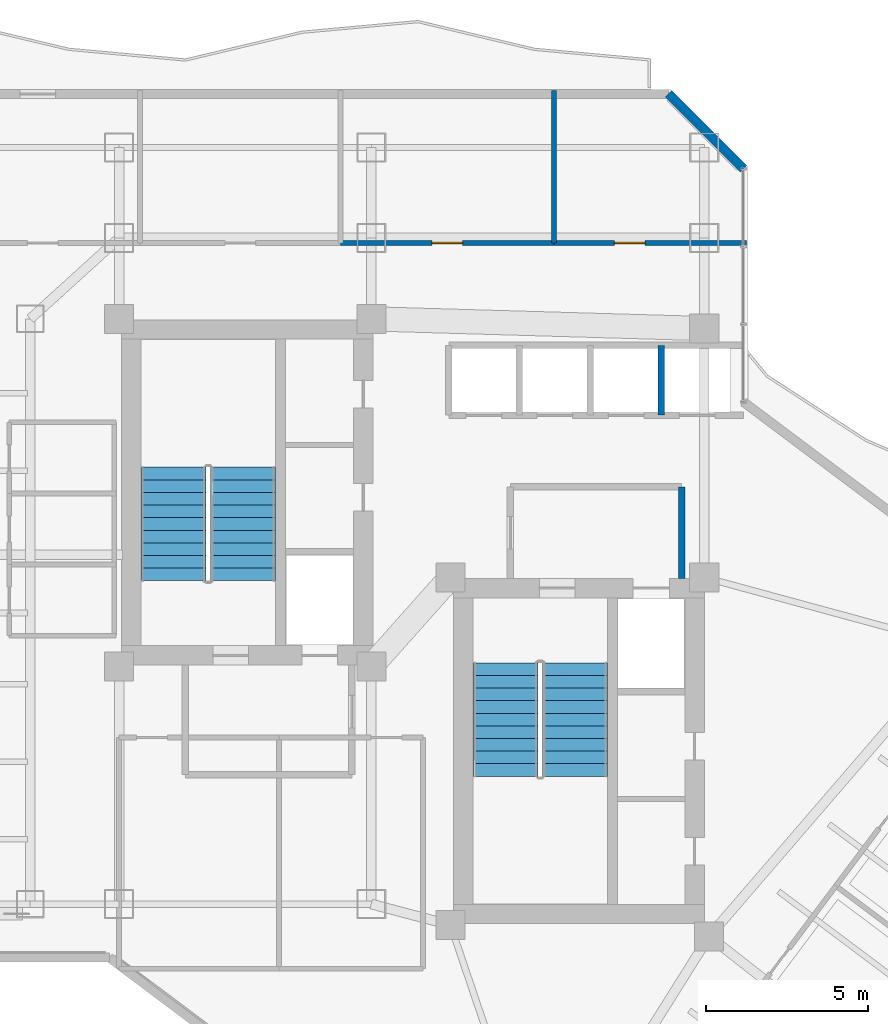
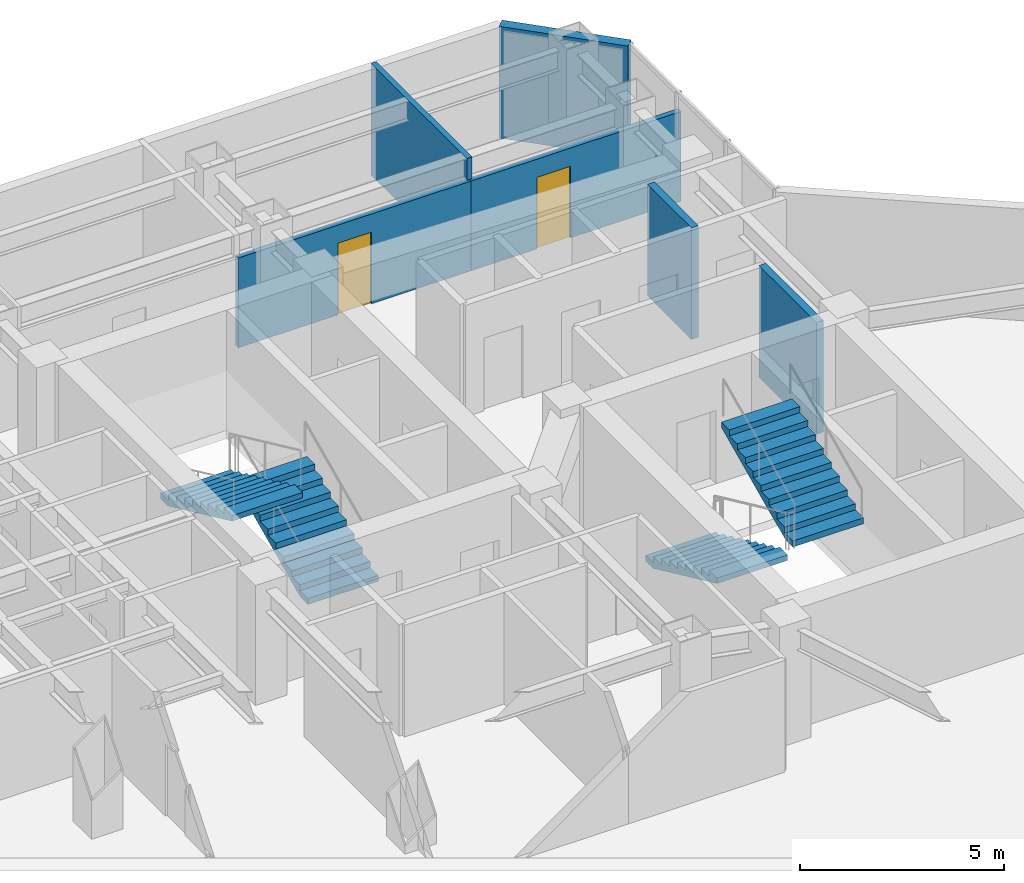
# One storey, part 26 of 31: 6 walls, 4 stair flights, 2 doors, 2 openings, 2 elements without a shape of their own.
"""IFC4 building model written with IfcOpenShell, lengths in metres."""

from ifc_helpers import new_model, si_unit, direction, frame, frame_2d, origin, place, context, subcontext, project, spatial, polyline, rectangle, outline, extrude, material, layer, layer_set, type_object, element, fill, aggregate, save


model = new_model("IFC4")

# Units and contexts
model_context = context("Model", 3, precision=1e-05, world=origin(), true_north=direction((0.0, 1.0)))
body_context = subcontext(model_context, "Body", "Model", "MODEL_VIEW")
ifc_project = project(units=[si_unit("LENGTHUNIT", "METRE"), si_unit("AREAUNIT", "SQUARE_METRE"), si_unit("VOLUMEUNIT", "CUBIC_METRE"), si_unit("PLANEANGLEUNIT", "RADIAN"), si_unit("MASSUNIT", "GRAM", prefix="KILO")], contexts=[model_context])

# Site, building, storey
site_placement = place(None, origin())
site = spatial("IfcSite", under=ifc_project, at=site_placement, CompositionType="ELEMENT")
building_placement = place(site_placement, origin())
building = spatial("IfcBuilding", under=site, at=building_placement, Name="Hatsunagi Terrace Concourse", CompositionType="ELEMENT")
storey_placement = place(building_placement, frame((0.0, 0.0, 112.050048828125)))
storey = spatial("IfcBuildingStorey", under=building, at=storey_placement, Name="L29", CompositionType="ELEMENT", Elevation=112.050048828125)

# Wall, opening, door
ifc_material_1 = material(Name="Acoustic mineral board", Category="gypsum")
ifc_layer_1 = layer(ifc_material_1, 0.14990234375)
ifc_layer_set_1 = layer_set([ifc_layer_1], Name="PartitionWall_EI60_150")
wall_type_1 = type_object("IfcWallType", Name="PartitionWall_EI60_150", PredefinedType="PARTITIONING", material=ifc_layer_set_1)
wall_1_placement = place(storey_placement, frame((32.39990234375, 45.64990234375, 0.0), z_axis=(0.0, 0.0, 1.0), x_axis=(1.0, 0.0, 0.0)))
wall_1 = element("IfcWall", 1, at=wall_1_placement, inside=storey, type_object=wall_type_1, Name="Interior Partition IW-L29-045", PredefinedType="PARTITIONING", context=body_context, shape_type="SweptSolid", body=[
    extrude(rectangle(XDim=6.60009765625, YDim=0.14990234375, at=frame_2d((3.300048828125, 0.0))), origin(), (0.0, 0.0, 1.0), 2.695068359375),
])
opening_1_placement = place(wall_1_placement, frame((2.824951171875, 0.0, 0.0)))
opening_1 = element("IfcOpeningElement", 2, at=opening_1_placement, cuts=wall_1, Name="Opening DR-095", PredefinedType="OPENING", context=body_context, shape_type="SweptSolid", body=[
    extrude(rectangle(XDim=0.949951171875, YDim=2.14990234375, at=frame_2d((0.47509765625, 1.074951171875))), frame((0.0, 0.0849609375, 0.0), z_axis=(0.0, -1.0, 0.0), x_axis=(1.0, 0.0, 0.0)), (0.0, 0.0, 1.0), 0.169921875),
])
ifc_material_2 = material(Name="Hardwood timber", Category="wood")
door_type = type_object("IfcDoorType", Name="InteriorSuiteDoor_EI30_950", OperationType="NOTDEFINED", PredefinedType="DOOR", material=ifc_material_2)
door_1_placement = place(opening_1_placement, origin())
door_1 = element("IfcDoor", 3, at=door_1_placement, inside=storey, type_object=door_type, Name="Meeting Room L29-ON3 Door", OperationType="SINGLE_SWING_RIGHT", OverallHeight=2.14990234375, OverallWidth=0.949951171875, PredefinedType="DOOR", context=body_context, shape_type="SweptSolid", body=[
    extrude(rectangle(XDim=0.949951171875, YDim=2.14990234375, at=frame_2d((0.47509765625, 1.074951171875))), frame((0.0, 0.02490234375, 0.0), z_axis=(0.0, -1.0, 0.0), x_axis=(1.0, 0.0, 0.0)), (0.0, 0.0, 1.0), 0.050048828125),
])
fill(opening_1, door_1)

# Wall
wall_2_placement = place(storey_placement, frame((39.0, 45.64990234375, 0.0), z_axis=(0.0, 0.0, 1.0), x_axis=(0.0, 1.0, 0.0)))
element("IfcWall", 4, at=wall_2_placement, inside=storey, type_object=wall_type_1, Name="Interior Partition IW-L29-046", PredefinedType="PARTITIONING", context=body_context, shape_type="SweptSolid", body=[
    extrude(rectangle(XDim=4.710205078125, YDim=0.14990234375, at=frame_2d((2.35498046875, 0.0))), origin(), (0.0, 0.0, 1.0), 3.349853515625),
])

# Wall, opening, door
wall_3_placement = place(storey_placement, frame((39.0, 45.64990234375, 0.0), z_axis=(0.0, 0.0, 1.0), x_axis=(1.0, 0.0, 0.0)))
wall_3 = element("IfcWall", 5, at=wall_3_placement, inside=storey, type_object=wall_type_1, Name="Interior Partition IW-L29-047", PredefinedType="PARTITIONING", context=body_context, shape_type="SweptSolid", body=[
    extrude(rectangle(XDim=5.9599609375, YDim=0.14990234375, at=frame_2d((2.97998046875, 0.0))), origin(), (0.0, 0.0, 1.0), 2.695068359375),
])
opening_2_placement = place(wall_3_placement, frame((1.867919921875, 0.0, 0.0)))
opening_2 = element("IfcOpeningElement", 6, at=opening_2_placement, cuts=wall_3, Name="Opening DR-095", PredefinedType="OPENING", context=body_context, shape_type="SweptSolid", body=[
    extrude(rectangle(XDim=0.949951171875, YDim=2.14990234375, at=frame_2d((0.47509765625, 1.074951171875))), frame((0.0, 0.0849609375, 0.0), z_axis=(0.0, -1.0, 0.0), x_axis=(1.0, 0.0, 0.0)), (0.0, 0.0, 1.0), 0.169921875),
])
door_2_placement = place(opening_2_placement, origin())
door_2 = element("IfcDoor", 7, at=door_2_placement, inside=storey, type_object=door_type, Name="Client Consultation Room L29-ON4 Door", OperationType="SINGLE_SWING_RIGHT", OverallHeight=2.14990234375, OverallWidth=0.949951171875, PredefinedType="DOOR", context=body_context, shape_type="SweptSolid", body=[
    extrude(rectangle(XDim=0.949951171875, YDim=2.14990234375, at=frame_2d((0.47509765625, 1.074951171875))), frame((0.0, 0.02490234375, 0.0), z_axis=(0.0, -1.0, 0.0), x_axis=(1.0, 0.0, 0.0)), (0.0, 0.0, 1.0), 0.050048828125),
])
fill(opening_2, door_2)

# Walls
ifc_material_3 = material(Name="Acoustic mineral board", Category="gypsum")
ifc_layer_2 = layer(ifc_material_3, 0.199951171875)
ifc_layer_set_2 = layer_set([ifc_layer_2], Name="ShaftWall_EI120_200")
wall_type_2 = type_object("IfcWallType", Name="ShaftWall_EI120_200", PredefinedType="STANDARD", material=ifc_layer_set_2)
wall_4_placement = place(storey_placement, frame((42.949951171875, 35.27001953125, 0.0), z_axis=(0.0, 0.0, 1.0), x_axis=(0.0, 1.0, 0.0)))
element("IfcWall", 8, at=wall_4_placement, inside=storey, type_object=wall_type_2, Name="Interior Partition IW-L29-009", PredefinedType="STANDARD", context=body_context, shape_type="SweptSolid", body=[
    extrude(rectangle(XDim=2.830078125, YDim=0.199951171875, at=frame_2d((1.4150390625, 0.0))), origin(), (0.0, 0.0, 1.0), 3.349853515625),
])
wall_5_placement = place(storey_placement, frame((42.320068359375, 40.320068359375, 0.0), z_axis=(0.0, 0.0, 1.0), x_axis=(0.0, 1.0, 0.0)))
element("IfcWall", 9, at=wall_5_placement, inside=storey, type_object=wall_type_2, Name="Interior Partition IW-L29-015", PredefinedType="STANDARD", context=body_context, shape_type="SweptSolid", body=[
    extrude(rectangle(XDim=2.159912109375, YDim=0.199951171875, at=frame_2d((1.080078125, 0.0))), origin(), (0.0, 0.0, 1.0), 3.349853515625),
])
ifc_material_4 = material(Name="Autoclaved Lightweight Concrete and Terracotta Cladding", Category="masonry")
ifc_layer_3 = layer(ifc_material_4, 0.280029296875)
ifc_layer_set_3 = layer_set([ifc_layer_3], Name="TerracottaSpandrelWall_280")
wall_type_3 = type_object("IfcWallType", Name="TerracottaSpandrelWall_280", PredefinedType="STANDARD", material=ifc_layer_set_3)
wall_6_placement = place(storey_placement, frame((42.5419921875, 50.260009765625, 0.0), z_axis=(0.0, 0.0, 1.0), x_axis=(0.707106781187, -0.707106781187, 0.0)))
element("IfcWall", 10, at=wall_6_placement, inside=storey, type_object=wall_type_3, Name="Exterior Spandrel Wall EW-L29-12", PredefinedType="STANDARD", context=body_context, shape_type="SweptSolid", body=[
    extrude(rectangle(XDim=3.2783203125, YDim=0.280029296875, at=frame_2d((1.63916015625, 0.0))), origin(), (0.0, 0.0, 1.0), 3.349853515625),
])

# Stair, stair flights
ifc_material_5 = material(Name="Concrete Fc42", Category="concrete")
stair_type = type_object("IfcStairType", Name="DoglegExitStair_Tower2000_20R_180", PredefinedType="HALF_TURN_STAIR", material=ifc_material_5)
stair_1_placement = place(storey_placement, origin())
stair_1 = element("IfcStair", 11, at=stair_1_placement, inside=storey, type_object=stair_type, Name="L29 Core A Protected Exit Stair ST-A", PredefinedType="HALF_TURN_STAIR")
ifc_material_6 = material(Name="Concrete Fc42", Category="concrete")
stair_flight_type = type_object("IfcStairFlightType", Name="DoglegStairFlight_Tower2000_20R_180", PredefinedType="STRAIGHT", material=ifc_material_6)
stair_flight_1_placement = place(storey_placement, frame((29.3798828125, 35.199951171875, 0.0), z_axis=(0.0, 0.0, 1.0), x_axis=(0.0, 1.0, 0.0)))
stair_flight_1 = element("IfcStairFlight", 12, at=stair_flight_1_placement, type_object=stair_flight_type, Name="ST-A flight 1", NumberOfRisers=10, NumberOfTreads=9, PredefinedType="STRAIGHT", RiserHeight=0.18, TreadLength=0.39, context=body_context, shape_type="SweptSolid", body=[
    extrude(outline(polyline([(0.0, 0.0), (0.0, 0.179931640625), (0.389892578125, 0.179931640625), (0.389892578125, 0.360107421875), (0.780029296875, 0.360107421875), (0.780029296875, 0.5400390625), (1.169921875, 0.5400390625), (1.169921875, 0.719970703125), (1.56005859375, 0.719970703125), (1.56005859375, 0.89990234375), (1.949951171875, 0.89990234375), (1.949951171875, 1.080078125), (2.340087890625, 1.080078125), (2.340087890625, 1.260009765625), (2.72998046875, 1.260009765625), (2.72998046875, 1.43994140625), (3.1201171875, 1.43994140625), (3.1201171875, 1.6201171875), (3.510009765625, 1.6201171875), (3.510009765625, 1.800048828125), (3.510009765625, 1.454833984375), (0.357666015625, 0.0), (0.0, 0.0)])), frame((0.0, 1.0, 0.0), z_axis=(0.0, -1.0, 0.0), x_axis=(1.0, 0.0, 0.0)), (0.0, 0.0, 1.0), 2.0),
])
stair_flight_2_placement = place(storey_placement, frame((27.22998046875, 38.7099609375, 1.800048828125), z_axis=(0.0, 0.0, 1.0), x_axis=(0.0, -1.0, 0.0)))
stair_flight_2 = element("IfcStairFlight", 13, at=stair_flight_2_placement, type_object=stair_flight_type, Name="ST-A flight 2", NumberOfRisers=10, NumberOfTreads=9, PredefinedType="STRAIGHT", RiserHeight=0.18, TreadLength=0.39, context=body_context, shape_type="SweptSolid", body=[
    extrude(outline(polyline([(0.0, 0.0), (0.0, 0.179931640625), (0.389892578125, 0.179931640625), (0.389892578125, 0.360107421875), (0.780029296875, 0.360107421875), (0.780029296875, 0.5400390625), (1.169921875, 0.5400390625), (1.169921875, 0.719970703125), (1.56005859375, 0.719970703125), (1.56005859375, 0.89990234375), (1.949951171875, 0.89990234375), (1.949951171875, 1.080078125), (2.340087890625, 1.080078125), (2.340087890625, 1.260009765625), (2.72998046875, 1.260009765625), (2.72998046875, 1.43994140625), (3.1201171875, 1.43994140625), (3.1201171875, 1.6201171875), (3.510009765625, 1.6201171875), (3.510009765625, 1.800048828125), (3.510009765625, 1.454833984375), (0.357666015625, 0.0), (0.0, 0.0)])), frame((0.0, 1.0, 0.0), z_axis=(0.0, -1.0, 0.0), x_axis=(1.0, 0.0, 0.0)), (0.0, 0.0, 1.0), 2.0),
])
aggregate(stair_1, [stair_flight_1, stair_flight_2])

stair_2_placement = place(storey_placement, origin())
stair_2 = element("IfcStair", 14, at=stair_2_placement, inside=storey, type_object=stair_type, Name="L29 Core B Protected Exit Stair ST-B", PredefinedType="HALF_TURN_STAIR")
stair_flight_3_placement = place(storey_placement, frame((37.5, 32.659912109375, 0.0), z_axis=(0.0, 0.0, 1.0), x_axis=(0.0, -1.0, 0.0)))
stair_flight_3 = element("IfcStairFlight", 15, at=stair_flight_3_placement, type_object=stair_flight_type, Name="ST-B flight 1", NumberOfRisers=10, NumberOfTreads=9, PredefinedType="STRAIGHT", RiserHeight=0.18, TreadLength=0.39, context=body_context, shape_type="SweptSolid", body=[
    extrude(outline(polyline([(0.0, 0.0), (0.0, 0.179931640625), (0.389892578125, 0.179931640625), (0.389892578125, 0.360107421875), (0.780029296875, 0.360107421875), (0.780029296875, 0.5400390625), (1.169921875, 0.5400390625), (1.169921875, 0.719970703125), (1.56005859375, 0.719970703125), (1.56005859375, 0.89990234375), (1.949951171875, 0.89990234375), (1.949951171875, 1.080078125), (2.340087890625, 1.080078125), (2.340087890625, 1.260009765625), (2.72998046875, 1.260009765625), (2.72998046875, 1.43994140625), (3.1201171875, 1.43994140625), (3.1201171875, 1.6201171875), (3.510009765625, 1.6201171875), (3.510009765625, 1.800048828125), (3.510009765625, 1.454833984375), (0.357666015625, 0.0), (0.0, 0.0)])), frame((0.0, 1.0, 0.0), z_axis=(0.0, -1.0, 0.0), x_axis=(1.0, 0.0, 0.0)), (0.0, 0.0, 1.0), 2.0),
])
stair_flight_4_placement = place(storey_placement, frame((39.64990234375, 29.14990234375, 1.800048828125), z_axis=(0.0, 0.0, 1.0), x_axis=(0.0, 1.0, 0.0)))
stair_flight_4 = element("IfcStairFlight", 16, at=stair_flight_4_placement, type_object=stair_flight_type, Name="ST-B flight 2", NumberOfRisers=10, NumberOfTreads=9, PredefinedType="STRAIGHT", RiserHeight=0.18, TreadLength=0.39, context=body_context, shape_type="SweptSolid", body=[
    extrude(outline(polyline([(0.0, 0.0), (0.0, 0.179931640625), (0.389892578125, 0.179931640625), (0.389892578125, 0.360107421875), (0.780029296875, 0.360107421875), (0.780029296875, 0.5400390625), (1.169921875, 0.5400390625), (1.169921875, 0.719970703125), (1.56005859375, 0.719970703125), (1.56005859375, 0.89990234375), (1.949951171875, 0.89990234375), (1.949951171875, 1.080078125), (2.340087890625, 1.080078125), (2.340087890625, 1.260009765625), (2.72998046875, 1.260009765625), (2.72998046875, 1.43994140625), (3.1201171875, 1.43994140625), (3.1201171875, 1.6201171875), (3.510009765625, 1.6201171875), (3.510009765625, 1.800048828125), (3.510009765625, 1.454833984375), (0.357666015625, 0.0), (0.0, 0.0)])), frame((0.0, 1.0, 0.0), z_axis=(0.0, -1.0, 0.0), x_axis=(1.0, 0.0, 0.0)), (0.0, 0.0, 1.0), 2.0),
])
aggregate(stair_2, [stair_flight_3, stair_flight_4])

save(model, "model.ifc")
